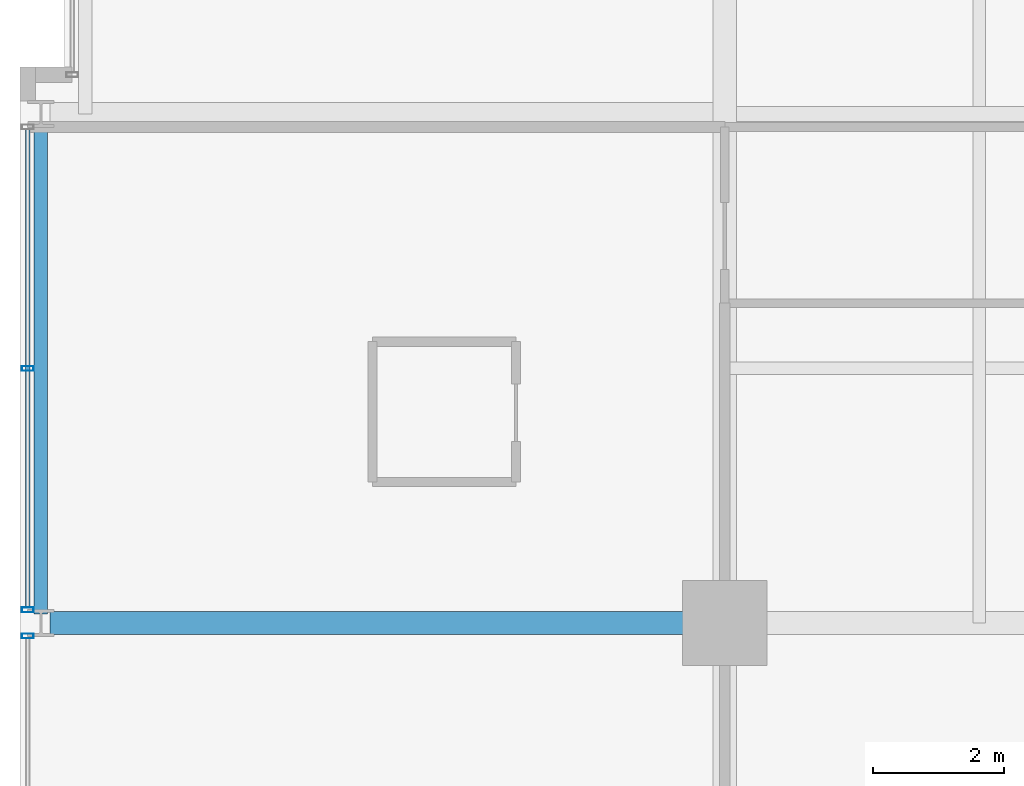
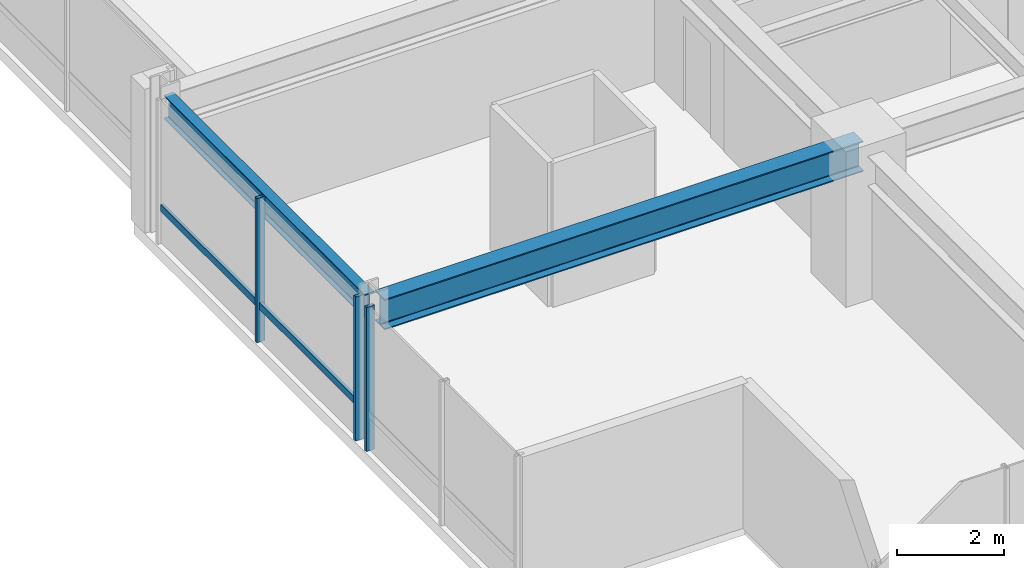
# One storey, part 4 of 32: 4 members, 2 beams, 2 elements without a shape of their own.
"""IFC4 building model written with IfcOpenShell, lengths in metres."""

from ifc_helpers import new_model, si_unit, direction, frame, origin, origin_2d, place, context, subcontext, project, spatial, hollow_rectangle, i_section, extrude, material, layer, layer_set, material_profile, profile_set, type_object, element, aggregate, save


model = new_model("IFC4")

# Units and contexts
model_context = context("Model", 3, precision=1e-05, world=origin(), true_north=direction((0.0, 1.0)))
body_context = subcontext(model_context, "Body", "Model", "MODEL_VIEW")
ifc_project = project(units=[si_unit("LENGTHUNIT", "METRE"), si_unit("AREAUNIT", "SQUARE_METRE"), si_unit("VOLUMEUNIT", "CUBIC_METRE"), si_unit("PLANEANGLEUNIT", "RADIAN"), si_unit("MASSUNIT", "GRAM", prefix="KILO")], contexts=[model_context])

# Site, building, storey
site_placement = place(None, origin())
site = spatial("IfcSite", under=ifc_project, at=site_placement, CompositionType="ELEMENT")
building_placement = place(site_placement, origin())
building = spatial("IfcBuilding", under=site, at=building_placement, Name="Drelvath Grand Hotel", CompositionType="ELEMENT")
storey_placement = place(building_placement, frame((0.0, 0.0, 164.60009765625)))
storey = spatial("IfcBuildingStorey", under=building, at=storey_placement, Name="L42", CompositionType="ELEMENT", Elevation=164.60009765625)

# Curtain wall, member
ifc_material_1 = material(Name="Brushed Pale-Silver Anodised Aluminium Frame", Category="aluminium")
ifc_layer = layer(ifc_material_1, 0.199951171875)
ifc_layer_set = layer_set([ifc_layer], Name="Brushed Pale-Silver Anodised Aluminium Frame")
curtain_wall_type = type_object("IfcCurtainWallType", Name="Stick Curtain Wall CW-04 Brushed Silver Upper-Mid", PredefinedType="NOTDEFINED", material=ifc_layer_set)
curtain_wall_1_placement = place(storey_placement, origin())
curtain_wall_1 = element("IfcCurtainWall", 1, at=curtain_wall_1_placement, inside=storey, type_object=curtain_wall_type, Name="L42 CW-04 Curtain Wall CW04-L42-WS2", PredefinedType="NOTDEFINED")
ifc_material_profile_1 = material_profile(ifc_material_1, hollow_rectangle(XDim=0.06494140625, YDim=0.159912109375, WallThickness=0.00390625, at=origin_2d()), Name="HSS160X65X4")
ifc_profile_set_1 = profile_set([ifc_material_profile_1], Name="Brushed Pale-Silver Anodised Aluminium Frame")
member_type_1 = type_object("IfcMemberType", Name="Curtain Wall Horizontal Transom CW-04 HSS160X65X4", PredefinedType="USERDEFINED", material=ifc_profile_set_1)
member_1_placement = place(storey_placement, frame((-26.8798828125, 11.0400390625, 0.822509765625), z_axis=(0.0, 1.0, 0.0), x_axis=(-1.0, 0.0, 0.0)))
member_1 = element("IfcMember", 2, at=member_1_placement, type_object=member_type_1, Name="CW04-L42-WS2 Sill Transom", ObjectType="TRANSOM", PredefinedType="USERDEFINED", context=body_context, shape_type="SweptSolid", body=[
    extrude(hollow_rectangle(XDim=0.06494140625, YDim=0.159912109375, WallThickness=0.00390625, at=origin_2d()), origin(), (0.0, 0.0, 1.0), 7.320068359375),
])

curtain_wall_2_placement = place(storey_placement, origin())
curtain_wall_2 = element("IfcCurtainWall", 3, at=curtain_wall_2_placement, inside=storey, type_object=curtain_wall_type, Name="L42 CW-04 Curtain Wall CW04-L42-WS1", PredefinedType="NOTDEFINED")
ifc_material_profile_2 = material_profile(ifc_material_1, hollow_rectangle(XDim=0.074951171875, YDim=0.179931640625, WallThickness=0.0048828125, at=origin_2d()), Name="HSS180X75X5")
ifc_profile_set_2 = profile_set([ifc_material_profile_2], Name="Brushed Pale-Silver Anodised Aluminium Frame")
member_type_2 = type_object("IfcMemberType", Name="Curtain Wall Vertical Mullion CW-04 HSS180X75X5", PredefinedType="MULLION", material=ifc_profile_set_2)
member_2_placement = place(storey_placement, frame((-26.8798828125, 10.599853515625, 0.0), z_axis=(0.0, 0.0, 1.0), x_axis=(0.0, 1.0, 0.0)))
member_2 = element("IfcMember", 4, at=member_2_placement, type_object=member_type_2, Name="CW04-L42-WS1 Mullion 3", PredefinedType="MULLION", context=body_context, shape_type="SweptSolid", body=[
    extrude(hollow_rectangle(XDim=0.074951171875, YDim=0.179931640625, WallThickness=0.0048828125, at=origin_2d()), origin(), (0.0, 0.0, 1.0), 3.289794921875),
])
aggregate(curtain_wall_2, [member_2])

# Member
member_3_placement = place(storey_placement, frame((-26.8798828125, 11.0, 0.0), z_axis=(0.0, 0.0, 1.0), x_axis=(0.0, 1.0, 0.0)))
member_3 = element("IfcMember", 5, at=member_3_placement, type_object=member_type_2, Name="CW04-L42-WS2 Mullion 1", PredefinedType="MULLION", context=body_context, shape_type="SweptSolid", body=[
    extrude(hollow_rectangle(XDim=0.074951171875, YDim=0.179931640625, WallThickness=0.0048828125, at=origin_2d()), origin(), (0.0, 0.0, 1.0), 3.289794921875),
])

member_4_placement = place(storey_placement, frame((-26.8798828125, 14.699951171875, 0.0), z_axis=(0.0, 0.0, 1.0), x_axis=(0.0, 1.0, 0.0)))
member_4 = element("IfcMember", 6, at=member_4_placement, type_object=member_type_2, Name="CW04-L42-WS2 Mullion 2", PredefinedType="MULLION", context=body_context, shape_type="SweptSolid", body=[
    extrude(hollow_rectangle(XDim=0.074951171875, YDim=0.179931640625, WallThickness=0.0048828125, at=origin_2d()), origin(), (0.0, 0.0, 1.0), 3.289794921875),
])

aggregate(curtain_wall_1, [member_3, member_4, member_1])

# Beams
ifc_material_2 = material(Name="Steel ASTM A992 Gr 50", Category="steel")
ifc_material_profile_3 = material_profile(ifc_material_2, i_section(OverallWidth=0.210205078125, OverallDepth=0.53662109375, WebThickness=0.010986328125, FlangeThickness=0.017333984375, FilletRadius=0.01806640625, at=origin_2d()), Name="W21X68")
ifc_profile_set_3 = profile_set([ifc_material_profile_3], Name="Steel ASTM A992 Gr 50")
beam_type_1 = type_object("IfcBeamType", Name="Perimeter Spandrel Beam W21X68", PredefinedType="SPANDREL", material=ifc_profile_set_3)
beam_1_placement = place(storey_placement, frame((-26.679931640625, 10.93994140625, 3.021484375), z_axis=(0.0, 1.0, 0.0), x_axis=(-1.0, 0.0, 0.0)))
element("IfcBeam", 7, at=beam_1_placement, inside=storey, type_object=beam_type_1, Name="L42 Spandrel West S", PredefinedType="SPANDREL", context=body_context, shape_type="SweptSolid", body=[
    extrude(i_section(OverallWidth=0.210205078125, OverallDepth=0.53662109375, WebThickness=0.010986328125, FlangeThickness=0.017333984375, FilletRadius=0.01806640625, at=origin_2d()), origin(), (0.0, 0.0, 1.0), 7.52001953125),
])
ifc_material_profile_4 = material_profile(ifc_material_2, i_section(OverallWidth=0.354736328125, OverallDepth=0.695556640625, WebThickness=0.015380859375, FlangeThickness=0.025146484375, FilletRadius=0.02392578125, at=origin_2d()), Name="W27X146")
ifc_profile_set_4 = profile_set([ifc_material_profile_4], Name="Steel ASTM A992 Gr 50")
beam_type_2 = type_object("IfcBeamType", Name="Primary Floor Girder W27X146", PredefinedType="BEAM", material=ifc_profile_set_4)
beam_2_placement = place(storey_placement, frame((-26.5400390625, 10.800048828125, 2.942138671875), z_axis=(1.0, 0.0, 0.0), x_axis=(0.0, 1.0, 0.0)))
element("IfcBeam", 8, at=beam_2_placement, inside=storey, type_object=beam_type_2, Name="L42 West Grid Girder C", PredefinedType="BEAM", context=body_context, shape_type="SweptSolid", body=[
    extrude(i_section(OverallWidth=0.354736328125, OverallDepth=0.695556640625, WebThickness=0.015380859375, FlangeThickness=0.025146484375, FilletRadius=0.02392578125, at=origin_2d()), origin(), (0.0, 0.0, 1.0), 10.340087890625),
])

save(model, "model.ifc")
